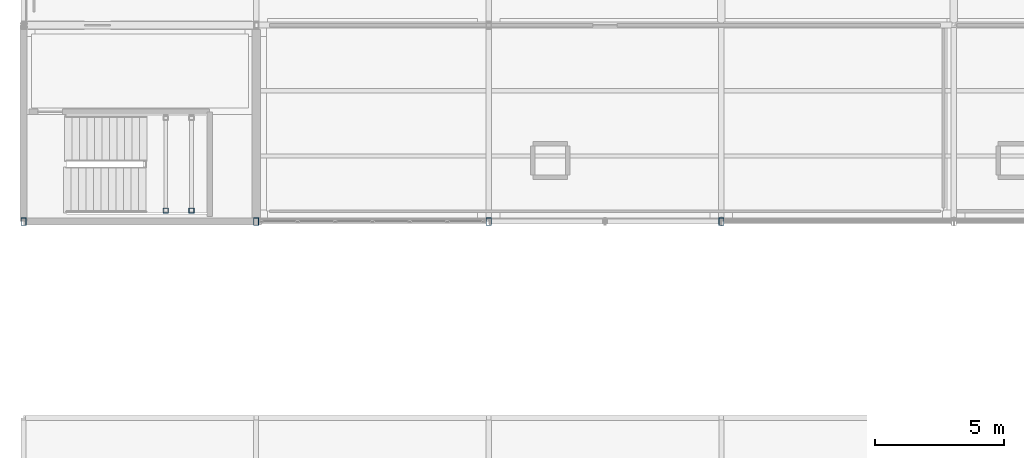
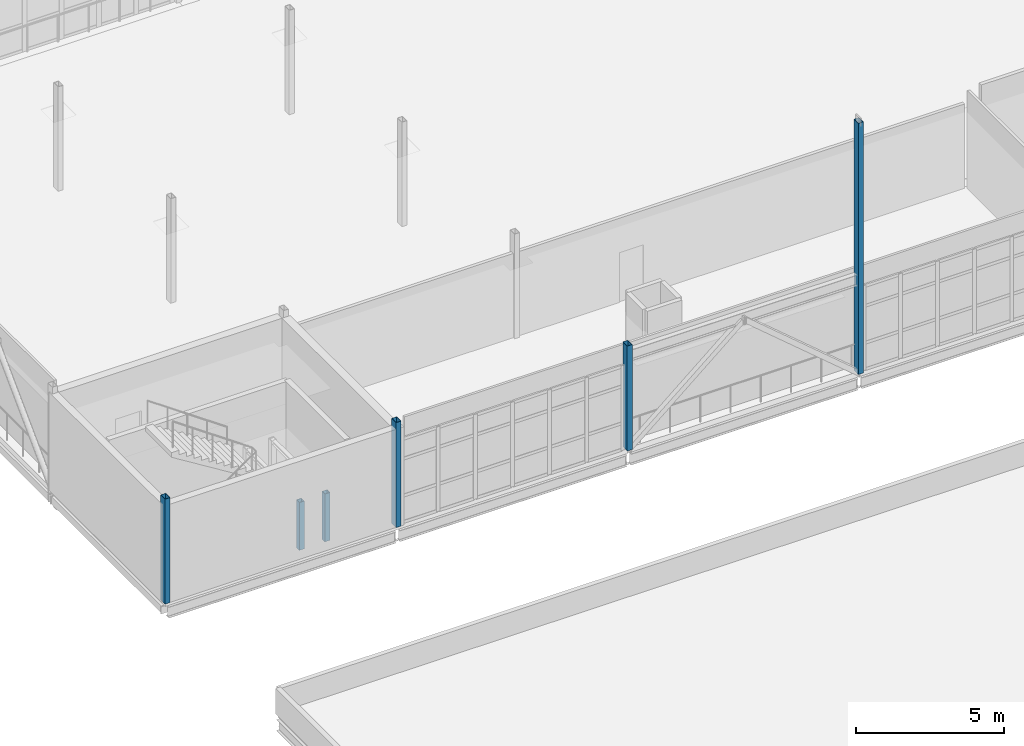
# One storey, part 1 of 166: 6 columns.
"""IFC4 building model written with IfcOpenShell, lengths in metres."""

from ifc_helpers import new_model, si_unit, direction, frame, origin, origin_2d, place, context, subcontext, project, spatial, hollow_rectangle, extrude, material, material_profile, profile_set, type_object, element, save


model = new_model("IFC4")

# Units and contexts
model_context = context("Model", 3, precision=1e-05, world=origin(), true_north=direction((0.0, 1.0)))
body_context = subcontext(model_context, "Body", "Model", "MODEL_VIEW")
ifc_project = project(units=[si_unit("LENGTHUNIT", "METRE"), si_unit("AREAUNIT", "SQUARE_METRE"), si_unit("VOLUMEUNIT", "CUBIC_METRE"), si_unit("PLANEANGLEUNIT", "RADIAN"), si_unit("MASSUNIT", "GRAM", prefix="KILO")], contexts=[model_context])

# Site, building, storey
site_placement = place(None, origin())
site = spatial("IfcSite", under=ifc_project, at=site_placement, CompositionType="ELEMENT")
building_placement = place(site_placement, origin())
building = spatial("IfcBuilding", under=site, at=building_placement, Name="Caisbarro Railhouse Central Library", CompositionType="ELEMENT")
storey_placement = place(building_placement, frame((0.0, 0.0, 9.360107421875)))
storey = spatial("IfcBuildingStorey", under=building, at=storey_placement, Name="L02", CompositionType="ELEMENT", Elevation=9.360107421875)

# Columns
ifc_material = material(Name="Steel ASTM A572 Grade 50", Category="steel")
ifc_material_profile_1 = material_profile(ifc_material, hollow_rectangle(XDim=0.199951171875, YDim=0.300048828125, WallThickness=0.012451171875, at=origin_2d()), Name="HSS300X200X12.5")
ifc_profile_set_1 = profile_set([ifc_material_profile_1], Name="Steel ASTM A572 Grade 50")
column_type_1 = type_object("IfcColumnType", Name="COL-C09", PredefinedType="COLUMN", material=ifc_profile_set_1)
for number, where, z_axis, x_axis, name in (
    (1, (0.0, 30.39990234375, 0.0), (0.0, 0.0, 1.0), (1.0, 0.0, 0.0), "C09 column L02 (0.0,30.4)"),
    (2, (9.0, 30.39990234375, 0.0), (0.0, 0.0, 1.0), (1.0, 0.0, 0.0), "C09 column L02 (9.0,30.4)"),
    (3, (18.0, 30.39990234375, 0.0), (0.0, 0.0, 1.0), (1.0, 0.0, 0.0), "C09 column L02 (18.0,30.4)"),
):
    element("IfcColumn", number, at=place(storey_placement, frame(where, z_axis=z_axis, x_axis=x_axis)), inside=storey, type_object=column_type_1, Name=name, PredefinedType="COLUMN", context=body_context, shape_type="SweptSolid", body=[
        extrude(hollow_rectangle(XDim=0.199951171875, YDim=0.300048828125, WallThickness=0.012451171875, at=origin_2d()), origin(), (0.0, 0.0, 1.0), 4.31982421875),
    ])
column_placement = place(storey_placement, frame((27.0, 30.39990234375, 0.0), z_axis=(0.0, 0.0, 1.0), x_axis=(1.0, 0.0, 0.0)))
element("IfcColumn", 4, at=column_placement, inside=storey, type_object=column_type_1, Name="C09 column L02 (27.0,30.4)", PredefinedType="COLUMN", context=body_context, shape_type="SweptSolid", body=[
    extrude(hollow_rectangle(XDim=0.199951171875, YDim=0.300048828125, WallThickness=0.012451171875, at=origin_2d()), origin(), (0.0, 0.0, 1.0), 10.33984375),
])
ifc_material_profile_2 = material_profile(ifc_material, hollow_rectangle(XDim=0.199951171875, YDim=0.199951171875, WallThickness=0.012451171875, at=origin_2d()), Name="HSS200X200X12.5")
ifc_profile_set_2 = profile_set([ifc_material_profile_2], Name="Steel ASTM A572 Grade 50")
column_type_2 = type_object("IfcColumnType", Name="COL-C10", PredefinedType="COLUMN", material=ifc_profile_set_2)
for number, where, z_axis, x_axis, name in (
    (5, (5.5, 30.820068359375, 0.0), (0.0, 0.0, 1.0), (1.0, 0.0, 0.0), "C10 Stair Landing Post K6 L02.1"),
    (6, (6.5, 30.820068359375, 0.0), (0.0, 0.0, 1.0), (1.0, 0.0, 0.0), "C10 Stair Landing Post K6 L02.3"),
):
    element("IfcColumn", number, at=place(storey_placement, frame(where, z_axis=z_axis, x_axis=x_axis)), inside=storey, type_object=column_type_2, Name=name, PredefinedType="COLUMN", context=body_context, shape_type="SweptSolid", body=[
        extrude(hollow_rectangle(XDim=0.199951171875, YDim=0.199951171875, WallThickness=0.012451171875, at=origin_2d()), origin(), (0.0, 0.0, 1.0), 1.969970703125),
    ])

save(model, "model.ifc")
